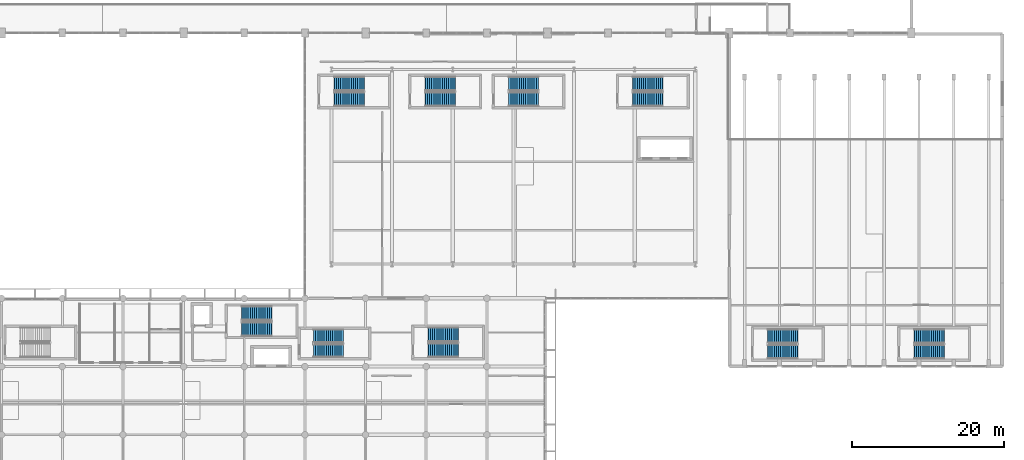
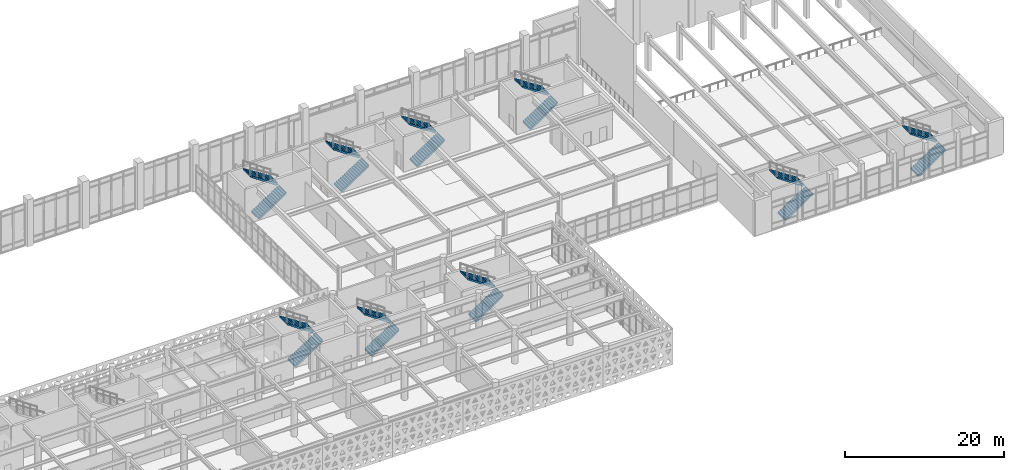
# One storey, part 70 of 84: 18 stair flights, 9 elements without a shape of their own.
"""IFC4 building model written with IfcOpenShell, lengths in metres."""

import ifcopenshell
import ifcopenshell.guid

model = None  # the IFC model being written
_history = None  # IfcOwnerHistory: only IFC2X3 demands one
_inside = {}  # id of a spatial element -> (the spatial element, [elements in it])
_under = {}  # id of a project, library or spatial element -> (it, [spatial elements below it])
_declared = {}  # id of a project -> (the project, [libraries it declares])
_typed = {}  # id of a type object -> (the type object, [elements of that type])
_made_of = {}  # id of a material, layer set ... -> (it, [elements and type objects made of it])


def new_model(schema):
    """Start an empty IFC model of exactly this schema.

    Asked for "IFC4X3", IfcOpenShell would pick the latest addendum, in which some entities
    have other attributes; the version numbers below select the first issue.
    IFC2X3 requires an IfcOwnerHistory on every rooted entity: one is made here for all.
    """
    global model, _history
    if schema == "IFC4X3":
        model = ifcopenshell.file(schema_version=(4, 3, 0, 0))
    else:
        model = ifcopenshell.file(schema=schema)
    _inside.clear()
    _under.clear()
    _declared.clear()
    _typed.clear()
    _made_of.clear()
    _history = None
    if model.schema == "IFC2X3":
        org = make("IfcOrganization", Name="unknown")
        user = make(
            "IfcPersonAndOrganization",
            ThePerson=make("IfcPerson", FamilyName="unknown"),
            TheOrganization=org,
        )
        app = make(
            "IfcApplication",
            ApplicationDeveloper=org,
            Version="unknown",
            ApplicationFullName="unknown",
            ApplicationIdentifier="unknown",
        )
        _history = make(
            "IfcOwnerHistory",
            OwningUser=user,
            OwningApplication=app,
            ChangeAction="ADDED",
            CreationDate=0,
        )
    return model


def make(cls, **values):
    """One entity of the class cls with the attributes given. An attribute that is None is left unset."""
    return model.create_entity(
        cls, **{name: value for name, value in values.items() if value is not None}
    )


def rooted(cls, **values):
    """An entity with a GlobalId (a new one), such as an element, a storey or a relation."""
    return make(cls, GlobalId=ifcopenshell.guid.new(), OwnerHistory=_history, **values)


def si_unit(unit_type, name, prefix=None):
    """IfcSIUnit, for example si_unit("LENGTHUNIT", "METRE", prefix="MILLI")."""
    return make("IfcSIUnit", UnitType=unit_type, Prefix=prefix, Name=name)


def assignment(units):
    """IfcUnitAssignment: the units of a project."""
    return None if units is None else make("IfcUnitAssignment", Units=units)


def point(xyz):
    """IfcCartesianPoint."""
    return None if xyz is None else make("IfcCartesianPoint", Coordinates=xyz)


def direction(xyz):
    """IfcDirection."""
    return None if xyz is None else make("IfcDirection", DirectionRatios=xyz)


def frame(location, z_axis=None, x_axis=None):
    """IfcAxis2Placement3D, a coordinate frame: its origin and axes. An axis left out is left unset."""
    return make(
        "IfcAxis2Placement3D",
        Location=point(location),
        Axis=direction(z_axis),
        RefDirection=direction(x_axis),
    )


def origin():
    """The frame at (0, 0, 0) with its axes left unset."""
    return frame((0.0, 0.0, 0.0))


def place(relative_to, where):
    """IfcLocalPlacement: puts the frame where relative to a parent placement (None: the world)."""
    return make(
        "IfcLocalPlacement", PlacementRelTo=relative_to, RelativePlacement=where
    )


def context(
    kind, dimensions, precision=None, world=None, true_north=None, identifier=None
):
    """IfcGeometricRepresentationContext, for example the 3D "Model" context."""
    return make(
        "IfcGeometricRepresentationContext",
        ContextIdentifier=identifier,
        ContextType=kind,
        CoordinateSpaceDimension=dimensions,
        Precision=precision,
        WorldCoordinateSystem=world,
        TrueNorth=true_north,
    )


def subcontext(parent, identifier, kind, view, scale=None):
    """IfcGeometricRepresentationSubContext, for example "Body" below "Model"."""
    return make(
        "IfcGeometricRepresentationSubContext",
        ContextIdentifier=identifier,
        ContextType=kind,
        ParentContext=parent,
        TargetScale=scale,
        TargetView=view,
    )


def project(units=None, contexts=None):
    """IfcProject with its units and contexts."""
    return rooted(
        "IfcProject",
        Name="project",
        RepresentationContexts=contexts,
        UnitsInContext=assignment(units),
    )


def spatial(cls, under=None, at=None, **own):
    """A site, building, storey or space (cls), placed at a placement, below another one or the project."""
    s = rooted(cls, ObjectPlacement=at, **own)
    if under is not None:
        _under.setdefault(under.id(), (under, []))[1].append(s)
    return s


def polyline(points):
    """IfcPolyline through the points."""
    return make("IfcPolyline", Points=[point(p) for p in points])


def outline(outer, holes=None, kind="AREA"):
    """IfcArbitraryClosedProfileDef: a profile drawn as a closed curve; with holes, ...WithVoids."""
    if holes is None:
        return make("IfcArbitraryClosedProfileDef", ProfileType=kind, OuterCurve=outer)
    return make(
        "IfcArbitraryProfileDefWithVoids",
        ProfileType=kind,
        OuterCurve=outer,
        InnerCurves=holes,
    )


def extrude(swept, where, along, depth):
    """IfcExtrudedAreaSolid: the profile swept, set in the frame where, extruded along a direction by depth."""
    return make(
        "IfcExtrudedAreaSolid",
        SweptArea=swept,
        Position=where,
        ExtrudedDirection=direction(along),
        Depth=depth,
    )


def shape(context_of_items, identifier, shape_type, items):
    """IfcShapeRepresentation: the items that make up one representation, for example the "Body"."""
    return make(
        "IfcShapeRepresentation",
        ContextOfItems=context_of_items,
        RepresentationIdentifier=identifier,
        RepresentationType=shape_type,
        Items=items,
    )


def material(Name=None, Category=None):
    """IfcMaterial."""
    return make("IfcMaterial", Name=Name, Category=Category)


def made_of(thing, what):
    """Note that an element or type object is made of a material, layer set ...; save() writes the relation."""
    if what is not None:
        _made_of.setdefault(what.id(), (what, []))[1].append(thing)
    return thing


def type_object(cls, material=None, **own):
    """A type object (cls), such as IfcWallType, which elements share."""
    return made_of(rooted(cls, **own), material)


def element(
    cls,
    number,
    at=None,
    inside=None,
    cuts=None,
    type_object=None,
    material=None,
    context=None,
    identifier="Body",
    shape_type=None,
    held_by="IfcProductDefinitionShape",
    body=None,
    shapes=None,
    **own,
):
    """One element of the class cls, such as IfcWall. Its Tag is "e" and its number.

    at: its placement. inside: the storey or other place that contains it. cuts: it is an
    opening in that element (IfcRelVoidsElement). A single representation is given by context,
    identifier, shape_type and body (its items); several are given by shapes. held_by: the class
    of the entity that holds the representations. save() writes the other relations.
    """
    e = rooted(cls, Tag="e%d" % number, ObjectPlacement=at, **own)
    if body is not None:
        shapes = [shape(context, identifier, shape_type, body)]
    if shapes is not None:
        e.Representation = make(held_by, Representations=shapes)
    if inside is not None:
        _inside.setdefault(inside.id(), (inside, []))[1].append(e)
    if cuts is not None:
        rooted(
            "IfcRelVoidsElement", RelatingBuildingElement=cuts, RelatedOpeningElement=e
        )
    if type_object is not None:
        _typed.setdefault(type_object.id(), (type_object, []))[1].append(e)
    return made_of(e, material)


def aggregate(whole, parts):
    """IfcRelAggregates: a whole, such as a stair, and the parts it consists of."""
    return rooted("IfcRelAggregates", RelatingObject=whole, RelatedObjects=parts)


def save(model, path):
    """Write the relations noted so far, then the file.

    IfcRelAggregates (storeys below a building ...), IfcRelContainedInSpatialStructure (elements
    in a storey), IfcRelDefinesByType, IfcRelAssociatesMaterial and IfcRelDeclares: one each for
    every whole, place, type object, material and project.
    """
    for whole, parts in _under.values():
        aggregate(whole, parts)
    for where, things in _inside.values():
        rooted(
            "IfcRelContainedInSpatialStructure",
            RelatedElements=things,
            RelatingStructure=where,
        )
    for kind, things in _typed.values():
        rooted("IfcRelDefinesByType", RelatedObjects=things, RelatingType=kind)
    for what, things in _made_of.values():
        rooted("IfcRelAssociatesMaterial", RelatedObjects=things, RelatingMaterial=what)
    for by, libraries in _declared.values():
        rooted("IfcRelDeclares", RelatingContext=by, RelatedDefinitions=libraries)
    model.write(path)


model = new_model("IFC4")

# Units and contexts
model_context = context("Model", 3, precision=1e-05, world=origin(), true_north=direction((0.0, 1.0)))
body_context = subcontext(model_context, "Body", "Model", "MODEL_VIEW")
ifc_project = project(units=[si_unit("LENGTHUNIT", "METRE"), si_unit("AREAUNIT", "SQUARE_METRE"), si_unit("VOLUMEUNIT", "CUBIC_METRE"), si_unit("PLANEANGLEUNIT", "RADIAN"), si_unit("MASSUNIT", "GRAM", prefix="KILO")], contexts=[model_context])

# Site, building, storey
site_placement = place(None, origin())
site = spatial("IfcSite", under=ifc_project, at=site_placement, CompositionType="ELEMENT")
building_placement = place(site_placement, origin())
building = spatial("IfcBuilding", under=site, at=building_placement, Name="Tlacozan Convention Centre", CompositionType="ELEMENT")
storey_placement = place(building_placement, frame((0.0, 0.0, 6.0)))
storey = spatial("IfcBuildingStorey", under=building, at=storey_placement, Name="L01", CompositionType="ELEMENT", Elevation=6.0)

# Stair, stair flights
ifc_material = material(Name="Concrete C40/50", Category="concrete")
stair_type_1 = type_object("IfcStairType", Name="Protected Dogleg Stair W175 H54", PredefinedType="HALF_TURN_STAIR", material=ifc_material)
stair_1_placement = place(storey_placement, origin())
stair_1 = element("IfcStair", 1, at=stair_1_placement, inside=storey, type_object=stair_type_1, Name="L01 East Belvedere Congress Stair", PredefinedType="HALF_TURN_STAIR")
stair_flight_type_1 = type_object("IfcStairFlightType", Name="Concrete Stair Flight W175 H54", PredefinedType="STRAIGHT", material=ifc_material)
stair_flight_1_placement = place(storey_placement, frame((89.14990234375, 20.074951171875, 0.0), z_axis=(0.0, 0.0, 1.0), x_axis=(1.0, 0.0, 0.0)))
stair_flight_1 = element("IfcStairFlight", 2, at=stair_flight_1_placement, type_object=stair_flight_type_1, Name="ST-15 flight 1", NumberOfRisers=15, NumberOfTreads=14, PredefinedType="STRAIGHT", RiserHeight=0.18, TreadLength=0.28, context=body_context, shape_type="SweptSolid", body=[
    extrude(outline(polyline([(-0.044921875, -0.14990234375), (-0.044921875, 0.0), (0.0, 0.0), (0.0, 0.179931640625), (0.280029296875, 0.179931640625), (0.280029296875, 0.360107421875), (0.56005859375, 0.360107421875), (0.56005859375, 0.5400390625), (0.840087890625, 0.5400390625), (0.840087890625, 0.719970703125), (1.1201171875, 0.719970703125), (1.1201171875, 0.89990234375), (1.39990234375, 0.89990234375), (1.39990234375, 1.080078125), (1.679931640625, 1.080078125), (1.679931640625, 1.260009765625), (1.9599609375, 1.260009765625), (1.9599609375, 1.43994140625), (2.239990234375, 1.43994140625), (2.239990234375, 1.6201171875), (2.52001953125, 1.6201171875), (2.52001953125, 1.800048828125), (2.800048828125, 1.800048828125), (2.800048828125, 1.97998046875), (3.080078125, 1.97998046875), (3.080078125, 2.159912109375), (3.360107421875, 2.159912109375), (3.360107421875, 2.340087890625), (3.639892578125, 2.340087890625), (3.639892578125, 2.52001953125), (3.919921875, 2.52001953125), (3.919921875, 2.699951171875), (3.96484375, 2.699951171875), (3.96484375, 2.550048828125), (3.919921875, 2.341796875), (0.277099609375, -0.14990234375), (-0.044921875, -0.14990234375)])), frame((0.0, 0.875, 0.0), z_axis=(0.0, -1.0, 0.0), x_axis=(1.0, 0.0, 0.0)), (0.0, 0.0, 1.0), 1.75),
])
stair_flight_2_placement = place(storey_placement, frame((93.070068359375, 22.02490234375, 2.699951171875), z_axis=(0.0, 0.0, 1.0), x_axis=(-1.0, 0.0, 0.0)))
stair_flight_2 = element("IfcStairFlight", 3, at=stair_flight_2_placement, type_object=stair_flight_type_1, Name="ST-15 flight 2", NumberOfRisers=15, NumberOfTreads=14, PredefinedType="STRAIGHT", RiserHeight=0.18, TreadLength=0.28, context=body_context, shape_type="SweptSolid", body=[
    extrude(outline(polyline([(-0.044921875, -0.14990234375), (-0.044921875, 0.0), (0.0, 0.0), (0.0, 0.179931640625), (0.280029296875, 0.179931640625), (0.280029296875, 0.360107421875), (0.56005859375, 0.360107421875), (0.56005859375, 0.5400390625), (0.840087890625, 0.5400390625), (0.840087890625, 0.719970703125), (1.1201171875, 0.719970703125), (1.1201171875, 0.89990234375), (1.39990234375, 0.89990234375), (1.39990234375, 1.080078125), (1.679931640625, 1.080078125), (1.679931640625, 1.260009765625), (1.9599609375, 1.260009765625), (1.9599609375, 1.43994140625), (2.239990234375, 1.43994140625), (2.239990234375, 1.6201171875), (2.52001953125, 1.6201171875), (2.52001953125, 1.800048828125), (2.800048828125, 1.800048828125), (2.800048828125, 1.97998046875), (3.080078125, 1.97998046875), (3.080078125, 2.159912109375), (3.360107421875, 2.159912109375), (3.360107421875, 2.340087890625), (3.639892578125, 2.340087890625), (3.639892578125, 2.52001953125), (3.919921875, 2.52001953125), (3.919921875, 2.699951171875), (3.96484375, 2.699951171875), (3.96484375, 2.550048828125), (3.919921875, 2.341796875), (0.277099609375, -0.14990234375), (-0.044921875, -0.14990234375)])), frame((0.0, 0.875, 0.0), z_axis=(0.0, -1.0, 0.0), x_axis=(1.0, 0.0, 0.0)), (0.0, 0.0, 1.0), 1.75),
])
aggregate(stair_1, [stair_flight_1, stair_flight_2])

stair_type_2 = type_object("IfcStairType", Name="Protected Dogleg Stair W188 H54", PredefinedType="HALF_TURN_STAIR", material=ifc_material)
stair_2_placement = place(storey_placement, origin())
stair_2 = element("IfcStair", 4, at=stair_2_placement, inside=storey, type_object=stair_type_2, Name="L01 East Congress Core Stair ST-02", PredefinedType="HALF_TURN_STAIR")
stair_flight_type_2 = type_object("IfcStairFlightType", Name="Concrete Stair Flight W188 H54", PredefinedType="STRAIGHT", material=ifc_material)
stair_flight_3_placement = place(storey_placement, frame((79.679931640625, 22.93994140625, 0.0), z_axis=(0.0, 0.0, 1.0), x_axis=(1.0, 0.0, 0.0)))
stair_flight_3 = element("IfcStairFlight", 5, at=stair_flight_3_placement, type_object=stair_flight_type_2, Name="ST-02 flight 1", NumberOfRisers=15, NumberOfTreads=14, PredefinedType="STRAIGHT", RiserHeight=0.18, TreadLength=0.28, context=body_context, shape_type="SweptSolid", body=[
    extrude(outline(polyline([(-0.044921875, -0.14990234375), (-0.044921875, 0.0), (0.0, 0.0), (0.0, 0.179931640625), (0.280029296875, 0.179931640625), (0.280029296875, 0.360107421875), (0.56005859375, 0.360107421875), (0.56005859375, 0.5400390625), (0.840087890625, 0.5400390625), (0.840087890625, 0.719970703125), (1.1201171875, 0.719970703125), (1.1201171875, 0.89990234375), (1.39990234375, 0.89990234375), (1.39990234375, 1.080078125), (1.679931640625, 1.080078125), (1.679931640625, 1.260009765625), (1.9599609375, 1.260009765625), (1.9599609375, 1.43994140625), (2.239990234375, 1.43994140625), (2.239990234375, 1.6201171875), (2.52001953125, 1.6201171875), (2.52001953125, 1.800048828125), (2.800048828125, 1.800048828125), (2.800048828125, 1.97998046875), (3.080078125, 1.97998046875), (3.080078125, 2.159912109375), (3.360107421875, 2.159912109375), (3.360107421875, 2.340087890625), (3.639892578125, 2.340087890625), (3.639892578125, 2.52001953125), (3.919921875, 2.52001953125), (3.919921875, 2.699951171875), (3.96484375, 2.699951171875), (3.96484375, 2.550048828125), (3.919921875, 2.341796875), (0.277099609375, -0.14990234375), (-0.044921875, -0.14990234375)])), frame((0.0, 0.93994140625, 0.0), z_axis=(0.0, -1.0, 0.0), x_axis=(1.0, 0.0, 0.0)), (0.0, 0.0, 1.0), 1.8798828125),
])
stair_flight_4_placement = place(storey_placement, frame((83.60009765625, 25.02001953125, 2.699951171875), z_axis=(0.0, 0.0, 1.0), x_axis=(-1.0, 0.0, 0.0)))
stair_flight_4 = element("IfcStairFlight", 6, at=stair_flight_4_placement, type_object=stair_flight_type_2, Name="ST-02 flight 2", NumberOfRisers=15, NumberOfTreads=14, PredefinedType="STRAIGHT", RiserHeight=0.18, TreadLength=0.28, context=body_context, shape_type="SweptSolid", body=[
    extrude(outline(polyline([(-0.044921875, -0.14990234375), (-0.044921875, 0.0), (0.0, 0.0), (0.0, 0.179931640625), (0.280029296875, 0.179931640625), (0.280029296875, 0.360107421875), (0.56005859375, 0.360107421875), (0.56005859375, 0.5400390625), (0.840087890625, 0.5400390625), (0.840087890625, 0.719970703125), (1.1201171875, 0.719970703125), (1.1201171875, 0.89990234375), (1.39990234375, 0.89990234375), (1.39990234375, 1.080078125), (1.679931640625, 1.080078125), (1.679931640625, 1.260009765625), (1.9599609375, 1.260009765625), (1.9599609375, 1.43994140625), (2.239990234375, 1.43994140625), (2.239990234375, 1.6201171875), (2.52001953125, 1.6201171875), (2.52001953125, 1.800048828125), (2.800048828125, 1.800048828125), (2.800048828125, 1.97998046875), (3.080078125, 1.97998046875), (3.080078125, 2.159912109375), (3.360107421875, 2.159912109375), (3.360107421875, 2.340087890625), (3.639892578125, 2.340087890625), (3.639892578125, 2.52001953125), (3.919921875, 2.52001953125), (3.919921875, 2.699951171875), (3.96484375, 2.699951171875), (3.96484375, 2.550048828125), (3.919921875, 2.341796875), (0.277099609375, -0.14990234375), (-0.044921875, -0.14990234375)])), frame((0.0, 0.93994140625, 0.0), z_axis=(0.0, -1.0, 0.0), x_axis=(1.0, 0.0, 0.0)), (0.0, 0.0, 1.0), 1.8798828125),
])
aggregate(stair_2, [stair_flight_3, stair_flight_4])

stair_3_placement = place(storey_placement, origin())
stair_3 = element("IfcStair", 7, at=stair_3_placement, inside=storey, type_object=stair_type_2, Name="L01 Ballroom and Plenary Hub Core Stair ST-03", PredefinedType="HALF_TURN_STAIR")
stair_flight_5_placement = place(storey_placement, frame((131.280029296875, 53.239990234375, 0.0), z_axis=(0.0, 0.0, 1.0), x_axis=(1.0, 0.0, 0.0)))
stair_flight_5 = element("IfcStairFlight", 8, at=stair_flight_5_placement, type_object=stair_flight_type_2, Name="ST-03 flight 1", NumberOfRisers=15, NumberOfTreads=14, PredefinedType="STRAIGHT", RiserHeight=0.18, TreadLength=0.28, context=body_context, shape_type="SweptSolid", body=[
    extrude(outline(polyline([(-0.044921875, -0.14990234375), (-0.044921875, 0.0), (0.0, 0.0), (0.0, 0.179931640625), (0.280029296875, 0.179931640625), (0.280029296875, 0.360107421875), (0.56005859375, 0.360107421875), (0.56005859375, 0.5400390625), (0.840087890625, 0.5400390625), (0.840087890625, 0.719970703125), (1.1201171875, 0.719970703125), (1.1201171875, 0.89990234375), (1.39990234375, 0.89990234375), (1.39990234375, 1.080078125), (1.679931640625, 1.080078125), (1.679931640625, 1.260009765625), (1.9599609375, 1.260009765625), (1.9599609375, 1.43994140625), (2.239990234375, 1.43994140625), (2.239990234375, 1.6201171875), (2.52001953125, 1.6201171875), (2.52001953125, 1.800048828125), (2.800048828125, 1.800048828125), (2.800048828125, 1.97998046875), (3.080078125, 1.97998046875), (3.080078125, 2.159912109375), (3.360107421875, 2.159912109375), (3.360107421875, 2.340087890625), (3.639892578125, 2.340087890625), (3.639892578125, 2.52001953125), (3.919921875, 2.52001953125), (3.919921875, 2.699951171875), (3.96484375, 2.699951171875), (3.96484375, 2.550048828125), (3.919921875, 2.341796875), (0.277099609375, -0.14990234375), (-0.044921875, -0.14990234375)])), frame((0.0, 0.93994140625, 0.0), z_axis=(0.0, -1.0, 0.0), x_axis=(1.0, 0.0, 0.0)), (0.0, 0.0, 1.0), 1.8798828125),
])
stair_flight_6_placement = place(storey_placement, frame((135.199951171875, 55.320068359375, 2.699951171875), z_axis=(0.0, 0.0, 1.0), x_axis=(-1.0, 0.0, 0.0)))
stair_flight_6 = element("IfcStairFlight", 9, at=stair_flight_6_placement, type_object=stair_flight_type_2, Name="ST-03 flight 2", NumberOfRisers=15, NumberOfTreads=14, PredefinedType="STRAIGHT", RiserHeight=0.18, TreadLength=0.28, context=body_context, shape_type="SweptSolid", body=[
    extrude(outline(polyline([(-0.044921875, -0.14990234375), (-0.044921875, 0.0), (0.0, 0.0), (0.0, 0.179931640625), (0.280029296875, 0.179931640625), (0.280029296875, 0.360107421875), (0.56005859375, 0.360107421875), (0.56005859375, 0.5400390625), (0.840087890625, 0.5400390625), (0.840087890625, 0.719970703125), (1.1201171875, 0.719970703125), (1.1201171875, 0.89990234375), (1.39990234375, 0.89990234375), (1.39990234375, 1.080078125), (1.679931640625, 1.080078125), (1.679931640625, 1.260009765625), (1.9599609375, 1.260009765625), (1.9599609375, 1.43994140625), (2.239990234375, 1.43994140625), (2.239990234375, 1.6201171875), (2.52001953125, 1.6201171875), (2.52001953125, 1.800048828125), (2.800048828125, 1.800048828125), (2.800048828125, 1.97998046875), (3.080078125, 1.97998046875), (3.080078125, 2.159912109375), (3.360107421875, 2.159912109375), (3.360107421875, 2.340087890625), (3.639892578125, 2.340087890625), (3.639892578125, 2.52001953125), (3.919921875, 2.52001953125), (3.919921875, 2.699951171875), (3.96484375, 2.699951171875), (3.96484375, 2.550048828125), (3.919921875, 2.341796875), (0.277099609375, -0.14990234375), (-0.044921875, -0.14990234375)])), frame((0.0, 0.93994140625, 0.0), z_axis=(0.0, -1.0, 0.0), x_axis=(1.0, 0.0, 0.0)), (0.0, 0.0, 1.0), 1.8798828125),
])
aggregate(stair_3, [stair_flight_5, stair_flight_6])

stair_4_placement = place(storey_placement, origin())
stair_4 = element("IfcStair", 10, at=stair_4_placement, inside=storey, type_object=stair_type_2, Name="L01 East Congress Stair", PredefinedType="HALF_TURN_STAIR")
stair_flight_7_placement = place(storey_placement, frame((104.280029296875, 20.139892578125, 0.0), z_axis=(0.0, 0.0, 1.0), x_axis=(1.0, 0.0, 0.0)))
stair_flight_7 = element("IfcStairFlight", 11, at=stair_flight_7_placement, type_object=stair_flight_type_2, Name="ST-05 flight 1", NumberOfRisers=15, NumberOfTreads=14, PredefinedType="STRAIGHT", RiserHeight=0.18, TreadLength=0.28, context=body_context, shape_type="SweptSolid", body=[
    extrude(outline(polyline([(-0.044921875, -0.14990234375), (-0.044921875, 0.0), (0.0, 0.0), (0.0, 0.179931640625), (0.280029296875, 0.179931640625), (0.280029296875, 0.360107421875), (0.56005859375, 0.360107421875), (0.56005859375, 0.5400390625), (0.840087890625, 0.5400390625), (0.840087890625, 0.719970703125), (1.1201171875, 0.719970703125), (1.1201171875, 0.89990234375), (1.39990234375, 0.89990234375), (1.39990234375, 1.080078125), (1.679931640625, 1.080078125), (1.679931640625, 1.260009765625), (1.9599609375, 1.260009765625), (1.9599609375, 1.43994140625), (2.239990234375, 1.43994140625), (2.239990234375, 1.6201171875), (2.52001953125, 1.6201171875), (2.52001953125, 1.800048828125), (2.800048828125, 1.800048828125), (2.800048828125, 1.97998046875), (3.080078125, 1.97998046875), (3.080078125, 2.159912109375), (3.360107421875, 2.159912109375), (3.360107421875, 2.340087890625), (3.639892578125, 2.340087890625), (3.639892578125, 2.52001953125), (3.919921875, 2.52001953125), (3.919921875, 2.699951171875), (3.96484375, 2.699951171875), (3.96484375, 2.550048828125), (3.919921875, 2.341796875), (0.277099609375, -0.14990234375), (-0.044921875, -0.14990234375)])), frame((0.0, 0.93994140625, 0.0), z_axis=(0.0, -1.0, 0.0), x_axis=(1.0, 0.0, 0.0)), (0.0, 0.0, 1.0), 1.8798828125),
])
stair_flight_8_placement = place(storey_placement, frame((108.199951171875, 22.219970703125, 2.699951171875), z_axis=(0.0, 0.0, 1.0), x_axis=(-1.0, 0.0, 0.0)))
stair_flight_8 = element("IfcStairFlight", 12, at=stair_flight_8_placement, type_object=stair_flight_type_2, Name="ST-05 flight 2", NumberOfRisers=15, NumberOfTreads=14, PredefinedType="STRAIGHT", RiserHeight=0.18, TreadLength=0.28, context=body_context, shape_type="SweptSolid", body=[
    extrude(outline(polyline([(-0.044921875, -0.14990234375), (-0.044921875, 0.0), (0.0, 0.0), (0.0, 0.179931640625), (0.280029296875, 0.179931640625), (0.280029296875, 0.360107421875), (0.56005859375, 0.360107421875), (0.56005859375, 0.5400390625), (0.840087890625, 0.5400390625), (0.840087890625, 0.719970703125), (1.1201171875, 0.719970703125), (1.1201171875, 0.89990234375), (1.39990234375, 0.89990234375), (1.39990234375, 1.080078125), (1.679931640625, 1.080078125), (1.679931640625, 1.260009765625), (1.9599609375, 1.260009765625), (1.9599609375, 1.43994140625), (2.239990234375, 1.43994140625), (2.239990234375, 1.6201171875), (2.52001953125, 1.6201171875), (2.52001953125, 1.800048828125), (2.800048828125, 1.800048828125), (2.800048828125, 1.97998046875), (3.080078125, 1.97998046875), (3.080078125, 2.159912109375), (3.360107421875, 2.159912109375), (3.360107421875, 2.340087890625), (3.639892578125, 2.340087890625), (3.639892578125, 2.52001953125), (3.919921875, 2.52001953125), (3.919921875, 2.699951171875), (3.96484375, 2.699951171875), (3.96484375, 2.550048828125), (3.919921875, 2.341796875), (0.277099609375, -0.14990234375), (-0.044921875, -0.14990234375)])), frame((0.0, 0.93994140625, 0.0), z_axis=(0.0, -1.0, 0.0), x_axis=(1.0, 0.0, 0.0)), (0.0, 0.0, 1.0), 1.8798828125),
])
aggregate(stair_4, [stair_flight_7, stair_flight_8])

stair_5_placement = place(storey_placement, origin())
stair_5 = element("IfcStair", 13, at=stair_5_placement, inside=storey, type_object=stair_type_2, Name="L01 Ballroom West Stair", PredefinedType="HALF_TURN_STAIR")
stair_flight_9_placement = place(storey_placement, frame((91.8798828125, 53.239990234375, 0.0), z_axis=(0.0, 0.0, 1.0), x_axis=(1.0, 0.0, 0.0)))
stair_flight_9 = element("IfcStairFlight", 14, at=stair_flight_9_placement, type_object=stair_flight_type_2, Name="ST-06 flight 1", NumberOfRisers=15, NumberOfTreads=14, PredefinedType="STRAIGHT", RiserHeight=0.18, TreadLength=0.28, context=body_context, shape_type="SweptSolid", body=[
    extrude(outline(polyline([(-0.044921875, -0.14990234375), (-0.044921875, 0.0), (0.0, 0.0), (0.0, 0.179931640625), (0.280029296875, 0.179931640625), (0.280029296875, 0.360107421875), (0.56005859375, 0.360107421875), (0.56005859375, 0.5400390625), (0.840087890625, 0.5400390625), (0.840087890625, 0.719970703125), (1.1201171875, 0.719970703125), (1.1201171875, 0.89990234375), (1.39990234375, 0.89990234375), (1.39990234375, 1.080078125), (1.679931640625, 1.080078125), (1.679931640625, 1.260009765625), (1.9599609375, 1.260009765625), (1.9599609375, 1.43994140625), (2.239990234375, 1.43994140625), (2.239990234375, 1.6201171875), (2.52001953125, 1.6201171875), (2.52001953125, 1.800048828125), (2.800048828125, 1.800048828125), (2.800048828125, 1.97998046875), (3.080078125, 1.97998046875), (3.080078125, 2.159912109375), (3.360107421875, 2.159912109375), (3.360107421875, 2.340087890625), (3.639892578125, 2.340087890625), (3.639892578125, 2.52001953125), (3.919921875, 2.52001953125), (3.919921875, 2.699951171875), (3.96484375, 2.699951171875), (3.96484375, 2.550048828125), (3.919921875, 2.341796875), (0.277099609375, -0.14990234375), (-0.044921875, -0.14990234375)])), frame((0.0, 0.93994140625, 0.0), z_axis=(0.0, -1.0, 0.0), x_axis=(1.0, 0.0, 0.0)), (0.0, 0.0, 1.0), 1.8798828125),
])
stair_flight_10_placement = place(storey_placement, frame((95.800048828125, 55.320068359375, 2.699951171875), z_axis=(0.0, 0.0, 1.0), x_axis=(-1.0, 0.0, 0.0)))
stair_flight_10 = element("IfcStairFlight", 15, at=stair_flight_10_placement, type_object=stair_flight_type_2, Name="ST-06 flight 2", NumberOfRisers=15, NumberOfTreads=14, PredefinedType="STRAIGHT", RiserHeight=0.18, TreadLength=0.28, context=body_context, shape_type="SweptSolid", body=[
    extrude(outline(polyline([(-0.044921875, -0.14990234375), (-0.044921875, 0.0), (0.0, 0.0), (0.0, 0.179931640625), (0.280029296875, 0.179931640625), (0.280029296875, 0.360107421875), (0.56005859375, 0.360107421875), (0.56005859375, 0.5400390625), (0.840087890625, 0.5400390625), (0.840087890625, 0.719970703125), (1.1201171875, 0.719970703125), (1.1201171875, 0.89990234375), (1.39990234375, 0.89990234375), (1.39990234375, 1.080078125), (1.679931640625, 1.080078125), (1.679931640625, 1.260009765625), (1.9599609375, 1.260009765625), (1.9599609375, 1.43994140625), (2.239990234375, 1.43994140625), (2.239990234375, 1.6201171875), (2.52001953125, 1.6201171875), (2.52001953125, 1.800048828125), (2.800048828125, 1.800048828125), (2.800048828125, 1.97998046875), (3.080078125, 1.97998046875), (3.080078125, 2.159912109375), (3.360107421875, 2.159912109375), (3.360107421875, 2.340087890625), (3.639892578125, 2.340087890625), (3.639892578125, 2.52001953125), (3.919921875, 2.52001953125), (3.919921875, 2.699951171875), (3.96484375, 2.699951171875), (3.96484375, 2.550048828125), (3.919921875, 2.341796875), (0.277099609375, -0.14990234375), (-0.044921875, -0.14990234375)])), frame((0.0, 0.93994140625, 0.0), z_axis=(0.0, -1.0, 0.0), x_axis=(1.0, 0.0, 0.0)), (0.0, 0.0, 1.0), 1.8798828125),
])
aggregate(stair_5, [stair_flight_9, stair_flight_10])

stair_6_placement = place(storey_placement, origin())
stair_6 = element("IfcStair", 16, at=stair_6_placement, inside=storey, type_object=stair_type_2, Name="L01 Ballroom Courtyard Stair", PredefinedType="HALF_TURN_STAIR")
stair_flight_11_placement = place(storey_placement, frame((103.8798828125, 53.239990234375, 0.0), z_axis=(0.0, 0.0, 1.0), x_axis=(1.0, 0.0, 0.0)))
stair_flight_11 = element("IfcStairFlight", 17, at=stair_flight_11_placement, type_object=stair_flight_type_2, Name="ST-17 flight 1", NumberOfRisers=15, NumberOfTreads=14, PredefinedType="STRAIGHT", RiserHeight=0.18, TreadLength=0.28, context=body_context, shape_type="SweptSolid", body=[
    extrude(outline(polyline([(-0.044921875, -0.14990234375), (-0.044921875, 0.0), (0.0, 0.0), (0.0, 0.179931640625), (0.280029296875, 0.179931640625), (0.280029296875, 0.360107421875), (0.56005859375, 0.360107421875), (0.56005859375, 0.5400390625), (0.840087890625, 0.5400390625), (0.840087890625, 0.719970703125), (1.1201171875, 0.719970703125), (1.1201171875, 0.89990234375), (1.39990234375, 0.89990234375), (1.39990234375, 1.080078125), (1.679931640625, 1.080078125), (1.679931640625, 1.260009765625), (1.9599609375, 1.260009765625), (1.9599609375, 1.43994140625), (2.239990234375, 1.43994140625), (2.239990234375, 1.6201171875), (2.52001953125, 1.6201171875), (2.52001953125, 1.800048828125), (2.800048828125, 1.800048828125), (2.800048828125, 1.97998046875), (3.080078125, 1.97998046875), (3.080078125, 2.159912109375), (3.360107421875, 2.159912109375), (3.360107421875, 2.340087890625), (3.639892578125, 2.340087890625), (3.639892578125, 2.52001953125), (3.919921875, 2.52001953125), (3.919921875, 2.699951171875), (3.96484375, 2.699951171875), (3.96484375, 2.550048828125), (3.919921875, 2.341796875), (0.277099609375, -0.14990234375), (-0.044921875, -0.14990234375)])), frame((0.0, 0.93994140625, 0.0), z_axis=(0.0, -1.0, 0.0), x_axis=(1.0, 0.0, 0.0)), (0.0, 0.0, 1.0), 1.8798828125),
])
stair_flight_12_placement = place(storey_placement, frame((107.800048828125, 55.320068359375, 2.699951171875), z_axis=(0.0, 0.0, 1.0), x_axis=(-1.0, 0.0, 0.0)))
stair_flight_12 = element("IfcStairFlight", 18, at=stair_flight_12_placement, type_object=stair_flight_type_2, Name="ST-17 flight 2", NumberOfRisers=15, NumberOfTreads=14, PredefinedType="STRAIGHT", RiserHeight=0.18, TreadLength=0.28, context=body_context, shape_type="SweptSolid", body=[
    extrude(outline(polyline([(-0.044921875, -0.14990234375), (-0.044921875, 0.0), (0.0, 0.0), (0.0, 0.179931640625), (0.280029296875, 0.179931640625), (0.280029296875, 0.360107421875), (0.56005859375, 0.360107421875), (0.56005859375, 0.5400390625), (0.840087890625, 0.5400390625), (0.840087890625, 0.719970703125), (1.1201171875, 0.719970703125), (1.1201171875, 0.89990234375), (1.39990234375, 0.89990234375), (1.39990234375, 1.080078125), (1.679931640625, 1.080078125), (1.679931640625, 1.260009765625), (1.9599609375, 1.260009765625), (1.9599609375, 1.43994140625), (2.239990234375, 1.43994140625), (2.239990234375, 1.6201171875), (2.52001953125, 1.6201171875), (2.52001953125, 1.800048828125), (2.800048828125, 1.800048828125), (2.800048828125, 1.97998046875), (3.080078125, 1.97998046875), (3.080078125, 2.159912109375), (3.360107421875, 2.159912109375), (3.360107421875, 2.340087890625), (3.639892578125, 2.340087890625), (3.639892578125, 2.52001953125), (3.919921875, 2.52001953125), (3.919921875, 2.699951171875), (3.96484375, 2.699951171875), (3.96484375, 2.550048828125), (3.919921875, 2.341796875), (0.277099609375, -0.14990234375), (-0.044921875, -0.14990234375)])), frame((0.0, 0.93994140625, 0.0), z_axis=(0.0, -1.0, 0.0), x_axis=(1.0, 0.0, 0.0)), (0.0, 0.0, 1.0), 1.8798828125),
])
aggregate(stair_6, [stair_flight_11, stair_flight_12])

stair_7_placement = place(storey_placement, origin())
stair_7 = element("IfcStair", 19, at=stair_7_placement, inside=storey, type_object=stair_type_2, Name="L01 Ballroom East Terrace Stair", PredefinedType="HALF_TURN_STAIR")
stair_flight_13_placement = place(storey_placement, frame((114.8798828125, 53.239990234375, 0.0), z_axis=(0.0, 0.0, 1.0), x_axis=(1.0, 0.0, 0.0)))
stair_flight_13 = element("IfcStairFlight", 20, at=stair_flight_13_placement, type_object=stair_flight_type_2, Name="ST-18 flight 1", NumberOfRisers=15, NumberOfTreads=14, PredefinedType="STRAIGHT", RiserHeight=0.18, TreadLength=0.28, context=body_context, shape_type="SweptSolid", body=[
    extrude(outline(polyline([(-0.044921875, -0.14990234375), (-0.044921875, 0.0), (0.0, 0.0), (0.0, 0.179931640625), (0.280029296875, 0.179931640625), (0.280029296875, 0.360107421875), (0.56005859375, 0.360107421875), (0.56005859375, 0.5400390625), (0.840087890625, 0.5400390625), (0.840087890625, 0.719970703125), (1.1201171875, 0.719970703125), (1.1201171875, 0.89990234375), (1.39990234375, 0.89990234375), (1.39990234375, 1.080078125), (1.679931640625, 1.080078125), (1.679931640625, 1.260009765625), (1.9599609375, 1.260009765625), (1.9599609375, 1.43994140625), (2.239990234375, 1.43994140625), (2.239990234375, 1.6201171875), (2.52001953125, 1.6201171875), (2.52001953125, 1.800048828125), (2.800048828125, 1.800048828125), (2.800048828125, 1.97998046875), (3.080078125, 1.97998046875), (3.080078125, 2.159912109375), (3.360107421875, 2.159912109375), (3.360107421875, 2.340087890625), (3.639892578125, 2.340087890625), (3.639892578125, 2.52001953125), (3.919921875, 2.52001953125), (3.919921875, 2.699951171875), (3.96484375, 2.699951171875), (3.96484375, 2.550048828125), (3.919921875, 2.341796875), (0.277099609375, -0.14990234375), (-0.044921875, -0.14990234375)])), frame((0.0, 0.93994140625, 0.0), z_axis=(0.0, -1.0, 0.0), x_axis=(1.0, 0.0, 0.0)), (0.0, 0.0, 1.0), 1.8798828125),
])
stair_flight_14_placement = place(storey_placement, frame((118.800048828125, 55.320068359375, 2.699951171875), z_axis=(0.0, 0.0, 1.0), x_axis=(-1.0, 0.0, 0.0)))
stair_flight_14 = element("IfcStairFlight", 21, at=stair_flight_14_placement, type_object=stair_flight_type_2, Name="ST-18 flight 2", NumberOfRisers=15, NumberOfTreads=14, PredefinedType="STRAIGHT", RiserHeight=0.18, TreadLength=0.28, context=body_context, shape_type="SweptSolid", body=[
    extrude(outline(polyline([(-0.044921875, -0.14990234375), (-0.044921875, 0.0), (0.0, 0.0), (0.0, 0.179931640625), (0.280029296875, 0.179931640625), (0.280029296875, 0.360107421875), (0.56005859375, 0.360107421875), (0.56005859375, 0.5400390625), (0.840087890625, 0.5400390625), (0.840087890625, 0.719970703125), (1.1201171875, 0.719970703125), (1.1201171875, 0.89990234375), (1.39990234375, 0.89990234375), (1.39990234375, 1.080078125), (1.679931640625, 1.080078125), (1.679931640625, 1.260009765625), (1.9599609375, 1.260009765625), (1.9599609375, 1.43994140625), (2.239990234375, 1.43994140625), (2.239990234375, 1.6201171875), (2.52001953125, 1.6201171875), (2.52001953125, 1.800048828125), (2.800048828125, 1.800048828125), (2.800048828125, 1.97998046875), (3.080078125, 1.97998046875), (3.080078125, 2.159912109375), (3.360107421875, 2.159912109375), (3.360107421875, 2.340087890625), (3.639892578125, 2.340087890625), (3.639892578125, 2.52001953125), (3.919921875, 2.52001953125), (3.919921875, 2.699951171875), (3.96484375, 2.699951171875), (3.96484375, 2.550048828125), (3.919921875, 2.341796875), (0.277099609375, -0.14990234375), (-0.044921875, -0.14990234375)])), frame((0.0, 0.93994140625, 0.0), z_axis=(0.0, -1.0, 0.0), x_axis=(1.0, 0.0, 0.0)), (0.0, 0.0, 1.0), 1.8798828125),
])
aggregate(stair_7, [stair_flight_13, stair_flight_14])

stair_8_placement = place(storey_placement, origin())
stair_8 = element("IfcStair", 22, at=stair_8_placement, inside=storey, type_object=stair_type_2, Name="L01 Plenary South-East Stair", PredefinedType="HALF_TURN_STAIR")
stair_flight_15_placement = place(storey_placement, frame((168.3798828125, 19.93994140625, 0.0), z_axis=(0.0, 0.0, 1.0), x_axis=(1.0, 0.0, 0.0)))
stair_flight_15 = element("IfcStairFlight", 23, at=stair_flight_15_placement, type_object=stair_flight_type_2, Name="ST-07 flight 1", NumberOfRisers=15, NumberOfTreads=14, PredefinedType="STRAIGHT", RiserHeight=0.18, TreadLength=0.28, context=body_context, shape_type="SweptSolid", body=[
    extrude(outline(polyline([(-0.044921875, -0.14990234375), (-0.044921875, 0.0), (0.0, 0.0), (0.0, 0.179931640625), (0.280029296875, 0.179931640625), (0.280029296875, 0.360107421875), (0.56005859375, 0.360107421875), (0.56005859375, 0.5400390625), (0.840087890625, 0.5400390625), (0.840087890625, 0.719970703125), (1.1201171875, 0.719970703125), (1.1201171875, 0.89990234375), (1.39990234375, 0.89990234375), (1.39990234375, 1.080078125), (1.679931640625, 1.080078125), (1.679931640625, 1.260009765625), (1.9599609375, 1.260009765625), (1.9599609375, 1.43994140625), (2.239990234375, 1.43994140625), (2.239990234375, 1.6201171875), (2.52001953125, 1.6201171875), (2.52001953125, 1.800048828125), (2.800048828125, 1.800048828125), (2.800048828125, 1.97998046875), (3.080078125, 1.97998046875), (3.080078125, 2.159912109375), (3.360107421875, 2.159912109375), (3.360107421875, 2.340087890625), (3.639892578125, 2.340087890625), (3.639892578125, 2.52001953125), (3.919921875, 2.52001953125), (3.919921875, 2.699951171875), (3.96484375, 2.699951171875), (3.96484375, 2.550048828125), (3.919921875, 2.341796875), (0.277099609375, -0.14990234375), (-0.044921875, -0.14990234375)])), frame((0.0, 0.93994140625, 0.0), z_axis=(0.0, -1.0, 0.0), x_axis=(1.0, 0.0, 0.0)), (0.0, 0.0, 1.0), 1.8798828125),
])
stair_flight_16_placement = place(storey_placement, frame((172.300048828125, 22.02001953125, 2.699951171875), z_axis=(0.0, 0.0, 1.0), x_axis=(-1.0, 0.0, 0.0)))
stair_flight_16 = element("IfcStairFlight", 24, at=stair_flight_16_placement, type_object=stair_flight_type_2, Name="ST-07 flight 2", NumberOfRisers=15, NumberOfTreads=14, PredefinedType="STRAIGHT", RiserHeight=0.18, TreadLength=0.28, context=body_context, shape_type="SweptSolid", body=[
    extrude(outline(polyline([(-0.044921875, -0.14990234375), (-0.044921875, 0.0), (0.0, 0.0), (0.0, 0.179931640625), (0.280029296875, 0.179931640625), (0.280029296875, 0.360107421875), (0.56005859375, 0.360107421875), (0.56005859375, 0.5400390625), (0.840087890625, 0.5400390625), (0.840087890625, 0.719970703125), (1.1201171875, 0.719970703125), (1.1201171875, 0.89990234375), (1.39990234375, 0.89990234375), (1.39990234375, 1.080078125), (1.679931640625, 1.080078125), (1.679931640625, 1.260009765625), (1.9599609375, 1.260009765625), (1.9599609375, 1.43994140625), (2.239990234375, 1.43994140625), (2.239990234375, 1.6201171875), (2.52001953125, 1.6201171875), (2.52001953125, 1.800048828125), (2.800048828125, 1.800048828125), (2.800048828125, 1.97998046875), (3.080078125, 1.97998046875), (3.080078125, 2.159912109375), (3.360107421875, 2.159912109375), (3.360107421875, 2.340087890625), (3.639892578125, 2.340087890625), (3.639892578125, 2.52001953125), (3.919921875, 2.52001953125), (3.919921875, 2.699951171875), (3.96484375, 2.699951171875), (3.96484375, 2.550048828125), (3.919921875, 2.341796875), (0.277099609375, -0.14990234375), (-0.044921875, -0.14990234375)])), frame((0.0, 0.93994140625, 0.0), z_axis=(0.0, -1.0, 0.0), x_axis=(1.0, 0.0, 0.0)), (0.0, 0.0, 1.0), 1.8798828125),
])
aggregate(stair_8, [stair_flight_15, stair_flight_16])

stair_9_placement = place(storey_placement, origin())
stair_9 = element("IfcStair", 25, at=stair_9_placement, inside=storey, type_object=stair_type_2, Name="L01 Plenary South-West Stair", PredefinedType="HALF_TURN_STAIR")
stair_flight_17_placement = place(storey_placement, frame((149.080078125, 19.93994140625, 0.0), z_axis=(0.0, 0.0, 1.0), x_axis=(1.0, 0.0, 0.0)))
stair_flight_17 = element("IfcStairFlight", 26, at=stair_flight_17_placement, type_object=stair_flight_type_2, Name="ST-08 flight 1", NumberOfRisers=15, NumberOfTreads=14, PredefinedType="STRAIGHT", RiserHeight=0.18, TreadLength=0.28, context=body_context, shape_type="SweptSolid", body=[
    extrude(outline(polyline([(-0.044921875, -0.14990234375), (-0.044921875, 0.0), (0.0, 0.0), (0.0, 0.179931640625), (0.280029296875, 0.179931640625), (0.280029296875, 0.360107421875), (0.56005859375, 0.360107421875), (0.56005859375, 0.5400390625), (0.840087890625, 0.5400390625), (0.840087890625, 0.719970703125), (1.1201171875, 0.719970703125), (1.1201171875, 0.89990234375), (1.39990234375, 0.89990234375), (1.39990234375, 1.080078125), (1.679931640625, 1.080078125), (1.679931640625, 1.260009765625), (1.9599609375, 1.260009765625), (1.9599609375, 1.43994140625), (2.239990234375, 1.43994140625), (2.239990234375, 1.6201171875), (2.52001953125, 1.6201171875), (2.52001953125, 1.800048828125), (2.800048828125, 1.800048828125), (2.800048828125, 1.97998046875), (3.080078125, 1.97998046875), (3.080078125, 2.159912109375), (3.360107421875, 2.159912109375), (3.360107421875, 2.340087890625), (3.639892578125, 2.340087890625), (3.639892578125, 2.52001953125), (3.919921875, 2.52001953125), (3.919921875, 2.699951171875), (3.96484375, 2.699951171875), (3.96484375, 2.550048828125), (3.919921875, 2.341796875), (0.277099609375, -0.14990234375), (-0.044921875, -0.14990234375)])), frame((0.0, 0.93994140625, 0.0), z_axis=(0.0, -1.0, 0.0), x_axis=(1.0, 0.0, 0.0)), (0.0, 0.0, 1.0), 1.8798828125),
])
stair_flight_18_placement = place(storey_placement, frame((153.0, 22.02001953125, 2.699951171875), z_axis=(0.0, 0.0, 1.0), x_axis=(-1.0, 0.0, 0.0)))
stair_flight_18 = element("IfcStairFlight", 27, at=stair_flight_18_placement, type_object=stair_flight_type_2, Name="ST-08 flight 2", NumberOfRisers=15, NumberOfTreads=14, PredefinedType="STRAIGHT", RiserHeight=0.18, TreadLength=0.28, context=body_context, shape_type="SweptSolid", body=[
    extrude(outline(polyline([(-0.044921875, -0.14990234375), (-0.044921875, 0.0), (0.0, 0.0), (0.0, 0.179931640625), (0.280029296875, 0.179931640625), (0.280029296875, 0.360107421875), (0.56005859375, 0.360107421875), (0.56005859375, 0.5400390625), (0.840087890625, 0.5400390625), (0.840087890625, 0.719970703125), (1.1201171875, 0.719970703125), (1.1201171875, 0.89990234375), (1.39990234375, 0.89990234375), (1.39990234375, 1.080078125), (1.679931640625, 1.080078125), (1.679931640625, 1.260009765625), (1.9599609375, 1.260009765625), (1.9599609375, 1.43994140625), (2.239990234375, 1.43994140625), (2.239990234375, 1.6201171875), (2.52001953125, 1.6201171875), (2.52001953125, 1.800048828125), (2.800048828125, 1.800048828125), (2.800048828125, 1.97998046875), (3.080078125, 1.97998046875), (3.080078125, 2.159912109375), (3.360107421875, 2.159912109375), (3.360107421875, 2.340087890625), (3.639892578125, 2.340087890625), (3.639892578125, 2.52001953125), (3.919921875, 2.52001953125), (3.919921875, 2.699951171875), (3.96484375, 2.699951171875), (3.96484375, 2.550048828125), (3.919921875, 2.341796875), (0.277099609375, -0.14990234375), (-0.044921875, -0.14990234375)])), frame((0.0, 0.93994140625, 0.0), z_axis=(0.0, -1.0, 0.0), x_axis=(1.0, 0.0, 0.0)), (0.0, 0.0, 1.0), 1.8798828125),
])
aggregate(stair_9, [stair_flight_17, stair_flight_18])

save(model, "model.ifc")
